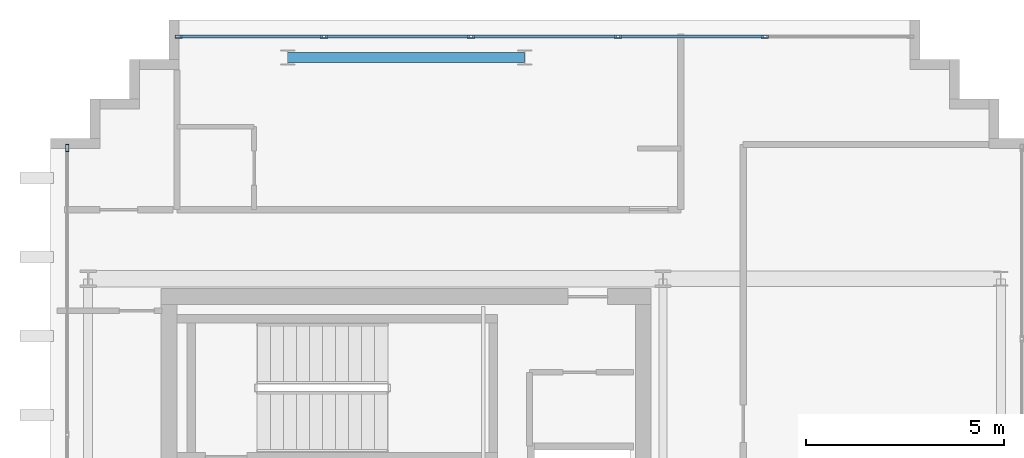
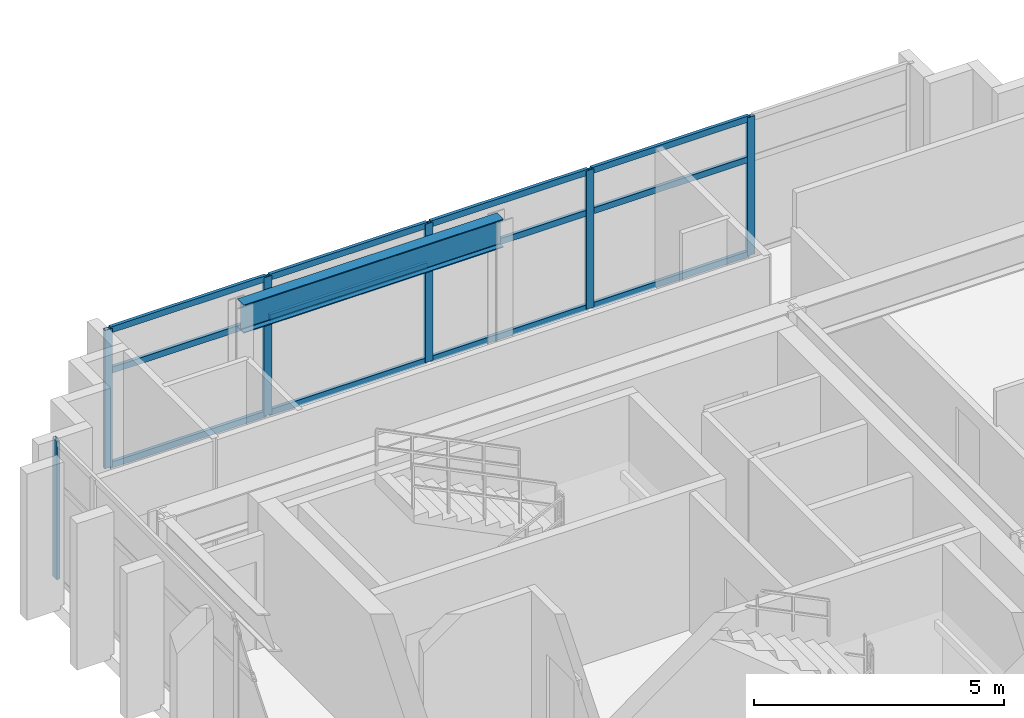
# One storey, part 11 of 17: 18 members, 1 beam, 2 elements without a shape of their own.
"""IFC4 building model written with IfcOpenShell, lengths in metres."""

from ifc_helpers import new_model, si_unit, direction, frame, origin, origin_2d, place, context, subcontext, project, spatial, hollow_rectangle, i_section, extrude, source, transform, mapped, material, layer, layer_set, material_profile, profile_set, type_object, element, aggregate, save


model = new_model("IFC4")

# Units and contexts
model_context = context("Model", 3, precision=1e-05, world=origin(), true_north=direction((0.0, 1.0)))
body_context = subcontext(model_context, "Body", "Model", "MODEL_VIEW")
ifc_project = project(units=[si_unit("LENGTHUNIT", "METRE"), si_unit("AREAUNIT", "SQUARE_METRE"), si_unit("VOLUMEUNIT", "CUBIC_METRE"), si_unit("PLANEANGLEUNIT", "RADIAN"), si_unit("MASSUNIT", "GRAM", prefix="KILO")], contexts=[model_context])

# Site, building, storey
site_placement = place(None, origin())
site = spatial("IfcSite", under=ifc_project, at=site_placement, CompositionType="ELEMENT")
building_placement = place(site_placement, origin())
building = spatial("IfcBuilding", under=site, at=building_placement, Name="Ocotamira Hotel", CompositionType="ELEMENT")
storey_placement = place(building_placement, frame((0.0, 0.0, 272.39990234375)))
storey = spatial("IfcBuildingStorey", under=building, at=storey_placement, Name="L69", CompositionType="ELEMENT", Elevation=272.39990234375)

# Beam
ifc_material_1 = material(Name="Steel ASTM A992 Grade 50", Category="steel")
ifc_material_profile_1 = material_profile(ifc_material_1, i_section(OverallWidth=0.256103515625, OverallDepth=0.693115234375, WebThickness=0.014404296875, FlangeThickness=0.023681640625, FilletRadius=0.01611328125, at=origin_2d()), Name="W27X114")
ifc_profile_set_1 = profile_set([ifc_material_profile_1], Name="Steel ASTM A992 Grade 50")
beam_type = type_object("IfcBeamType", Name="BM-PRIM-W27X114", PredefinedType="BEAM", material=ifc_profile_set_1)
shared_shape_1 = source(origin(), body_context, "Body", "SweptSolid", [
    extrude(i_section(OverallWidth=0.256103515625, OverallDepth=0.693115234375, WebThickness=0.014404296875, FlangeThickness=0.023681640625, FilletRadius=0.01611328125, at=origin_2d()), origin(), (0.0, 0.0, 1.0), 6.0),
])
beam_placement = place(storey_placement, frame((14.0, 43.050048828125, 3.03369140625), z_axis=(1.0, 0.0, 0.0), x_axis=(0.0, 1.0, 0.0)))
element("IfcBeam", 1, at=beam_placement, inside=storey, type_object=beam_type, Name="L69 Girder Y43.05 X14-20", PredefinedType="BEAM", context=body_context, shape_type="MappedRepresentation", body=[
    mapped(shared_shape_1, transform((0.0, 0.0, 0.0), scale=1.0)),
])

# Curtain wall, members
ifc_material_2 = material(Name="Anodised pale-metal aluminium and solar glass", Category="aluminium")
ifc_layer = layer(ifc_material_2, 0.2099609375)
ifc_layer_set = layer_set([ifc_layer], Name="Anodised pale-metal aluminium and solar glass")
curtain_wall_type = type_object("IfcCurtainWallType", Name="CW-SYS7-PEAK", PredefinedType="NOTDEFINED", material=ifc_layer_set)
curtain_wall_1_placement = place(storey_placement, origin())
curtain_wall_1 = element("IfcCurtainWall", 2, at=curtain_wall_1_placement, inside=storey, type_object=curtain_wall_type, Name="L69 Curtain Wall CW-7 CW-L69-N", PredefinedType="NOTDEFINED")
ifc_material_3 = material(Name="Anodised pale-metal aluminium 6063-T6", Category="aluminium")
ifc_material_profile_2 = material_profile(ifc_material_3, hollow_rectangle(XDim=0.080078125, YDim=0.179931640625, WallThickness=0.006103515625, at=origin_2d()), Name="HSS180X80X6")
ifc_profile_set_2 = profile_set([ifc_material_profile_2], Name="Anodised pale-metal aluminium 6063-T6")
member_type_1 = type_object("IfcMemberType", Name="CWM-180X75", PredefinedType="MULLION", material=ifc_profile_set_2)
shared_shape_2 = source(origin(), body_context, "Body", "SweptSolid", [
    extrude(hollow_rectangle(XDim=0.080078125, YDim=0.179931640625, WallThickness=0.006103515625, at=origin_2d()), origin(), (0.0, 0.0, 1.0), 3.380126953125),
])
member_1_placement = place(storey_placement, frame((11.239990234375, 43.580078125, 0.0), z_axis=(0.0, 0.0, 1.0), x_axis=(0.0, 1.0, 0.0)))
member_1 = element("IfcMember", 3, at=member_1_placement, type_object=member_type_1, Name="CW-7 mullion 1", PredefinedType="MULLION", context=body_context, shape_type="MappedRepresentation", body=[
    mapped(shared_shape_2, transform((0.0, 0.0, 0.0), scale=1.0)),
])
member_2_placement = place(storey_placement, frame((14.919921875, 43.580078125, 0.0), z_axis=(0.0, 0.0, 1.0), x_axis=(0.0, 1.0, 0.0)))
member_2 = element("IfcMember", 4, at=member_2_placement, type_object=member_type_1, Name="CW-7 mullion 2", PredefinedType="MULLION", context=body_context, shape_type="MappedRepresentation", body=[
    mapped(shared_shape_2, transform((0.0, 0.0, 0.0), scale=1.0)),
])
member_3_placement = place(storey_placement, frame((18.639892578125, 43.580078125, 0.0), z_axis=(0.0, 0.0, 1.0), x_axis=(0.0, 1.0, 0.0)))
member_3 = element("IfcMember", 5, at=member_3_placement, type_object=member_type_1, Name="CW-7 mullion 3", PredefinedType="MULLION", context=body_context, shape_type="MappedRepresentation", body=[
    mapped(shared_shape_2, transform((0.0, 0.0, 0.0), scale=1.0)),
])
member_4_placement = place(storey_placement, frame((22.360107421875, 43.580078125, 0.0), z_axis=(0.0, 0.0, 1.0), x_axis=(0.0, 1.0, 0.0)))
member_4 = element("IfcMember", 6, at=member_4_placement, type_object=member_type_1, Name="CW-7 mullion 4", PredefinedType="MULLION", context=body_context, shape_type="MappedRepresentation", body=[
    mapped(shared_shape_2, transform((0.0, 0.0, 0.0), scale=1.0)),
])
member_5_placement = place(storey_placement, frame((26.080078125, 43.580078125, 0.0), z_axis=(0.0, 0.0, 1.0), x_axis=(0.0, 1.0, 0.0)))
member_5 = element("IfcMember", 7, at=member_5_placement, type_object=member_type_1, Name="CW-7 mullion 5", PredefinedType="MULLION", context=body_context, shape_type="MappedRepresentation", body=[
    mapped(shared_shape_2, transform((0.0, 0.0, 0.0), scale=1.0)),
])

# Curtain wall, member
curtain_wall_2_placement = place(storey_placement, origin())
curtain_wall_2 = element("IfcCurtainWall", 8, at=curtain_wall_2_placement, inside=storey, type_object=curtain_wall_type, Name="L69 Curtain Wall CW-7 CW-L69-W2", PredefinedType="NOTDEFINED")
member_6_placement = place(storey_placement, frame((8.419921875, 40.760009765625, 0.0), z_axis=(0.0, 0.0, 1.0), x_axis=(-1.0, 0.0, 0.0)))
member_6 = element("IfcMember", 9, at=member_6_placement, type_object=member_type_1, Name="CW-7 mullion 3", PredefinedType="MULLION", context=body_context, shape_type="MappedRepresentation", body=[
    mapped(shared_shape_2, transform((0.0, 0.0, 0.0), scale=1.0)),
])
aggregate(curtain_wall_2, [member_6])

# Member
ifc_material_profile_3 = material_profile(ifc_material_3, hollow_rectangle(XDim=0.074951171875, YDim=0.14990234375, WallThickness=0.006103515625, at=origin_2d()), Name="HSS150X75X6")
ifc_profile_set_3 = profile_set([ifc_material_profile_3], Name="Anodised pale-metal aluminium 6063-T6")
member_type_2 = type_object("IfcMemberType", Name="CWT-150X75", PredefinedType="USERDEFINED", material=ifc_profile_set_3)
shared_shape_3 = source(origin(), body_context, "Body", "SweptSolid", [
    extrude(hollow_rectangle(XDim=0.074951171875, YDim=0.14990234375, WallThickness=0.006103515625, at=origin_2d()), origin(), (0.0, 0.0, 1.0), 3.599853515625),
])
member_7_placement = place(storey_placement, frame((11.280029296875, 43.580078125, 0.03759765625), z_axis=(1.0, 0.0, 0.0), x_axis=(0.0, 1.0, 0.0)))
member_7 = element("IfcMember", 10, at=member_7_placement, type_object=member_type_2, Name="CW-7 transom 1.1", ObjectType="TRANSOM", PredefinedType="USERDEFINED", context=body_context, shape_type="MappedRepresentation", body=[
    mapped(shared_shape_3, transform((0.0, 0.0, 0.0), scale=1.0)),
])

member_8_placement = place(storey_placement, frame((11.280029296875, 43.580078125, 2.35009765625), z_axis=(1.0, 0.0, 0.0), x_axis=(0.0, 1.0, 0.0)))
member_8 = element("IfcMember", 11, at=member_8_placement, type_object=member_type_2, Name="CW-7 transom 1.2", ObjectType="TRANSOM", PredefinedType="USERDEFINED", context=body_context, shape_type="MappedRepresentation", body=[
    mapped(shared_shape_3, transform((0.0, 0.0, 0.0), scale=1.0)),
])

member_9_placement = place(storey_placement, frame((11.280029296875, 43.580078125, 3.342529296875), z_axis=(1.0, 0.0, 0.0), x_axis=(0.0, 1.0, 0.0)))
member_9 = element("IfcMember", 12, at=member_9_placement, type_object=member_type_2, Name="CW-7 transom 1.3", ObjectType="TRANSOM", PredefinedType="USERDEFINED", context=body_context, shape_type="MappedRepresentation", body=[
    mapped(shared_shape_3, transform((0.0, 0.0, 0.0), scale=1.0)),
])

shared_shape_4 = source(origin(), body_context, "Body", "SweptSolid", [
    extrude(hollow_rectangle(XDim=0.074951171875, YDim=0.14990234375, WallThickness=0.006103515625, at=origin_2d()), origin(), (0.0, 0.0, 1.0), 3.64013671875),
])
member_10_placement = place(storey_placement, frame((14.9599609375, 43.580078125, 0.03759765625), z_axis=(1.0, 0.0, 0.0), x_axis=(0.0, 1.0, 0.0)))
member_10 = element("IfcMember", 13, at=member_10_placement, type_object=member_type_2, Name="CW-7 transom 2.1", ObjectType="TRANSOM", PredefinedType="USERDEFINED", context=body_context, shape_type="MappedRepresentation", body=[
    mapped(shared_shape_4, transform((0.0, 0.0, 0.0), scale=1.0)),
])

member_11_placement = place(storey_placement, frame((14.9599609375, 43.580078125, 2.35009765625), z_axis=(1.0, 0.0, 0.0), x_axis=(0.0, 1.0, 0.0)))
member_11 = element("IfcMember", 14, at=member_11_placement, type_object=member_type_2, Name="CW-7 transom 2.2", ObjectType="TRANSOM", PredefinedType="USERDEFINED", context=body_context, shape_type="MappedRepresentation", body=[
    mapped(shared_shape_4, transform((0.0, 0.0, 0.0), scale=1.0)),
])

member_12_placement = place(storey_placement, frame((14.9599609375, 43.580078125, 3.342529296875), z_axis=(1.0, 0.0, 0.0), x_axis=(0.0, 1.0, 0.0)))
member_12 = element("IfcMember", 15, at=member_12_placement, type_object=member_type_2, Name="CW-7 transom 2.3", ObjectType="TRANSOM", PredefinedType="USERDEFINED", context=body_context, shape_type="MappedRepresentation", body=[
    mapped(shared_shape_4, transform((0.0, 0.0, 0.0), scale=1.0)),
])

member_13_placement = place(storey_placement, frame((18.679931640625, 43.580078125, 0.03759765625), z_axis=(1.0, 0.0, 0.0), x_axis=(0.0, 1.0, 0.0)))
member_13 = element("IfcMember", 16, at=member_13_placement, type_object=member_type_2, Name="CW-7 transom 3.1", ObjectType="TRANSOM", PredefinedType="USERDEFINED", context=body_context, shape_type="MappedRepresentation", body=[
    mapped(shared_shape_4, transform((0.0, 0.0, 0.0), scale=1.0)),
])

member_14_placement = place(storey_placement, frame((18.679931640625, 43.580078125, 2.35009765625), z_axis=(1.0, 0.0, 0.0), x_axis=(0.0, 1.0, 0.0)))
member_14 = element("IfcMember", 17, at=member_14_placement, type_object=member_type_2, Name="CW-7 transom 3.2", ObjectType="TRANSOM", PredefinedType="USERDEFINED", context=body_context, shape_type="MappedRepresentation", body=[
    mapped(shared_shape_4, transform((0.0, 0.0, 0.0), scale=1.0)),
])

member_15_placement = place(storey_placement, frame((18.679931640625, 43.580078125, 3.342529296875), z_axis=(1.0, 0.0, 0.0), x_axis=(0.0, 1.0, 0.0)))
member_15 = element("IfcMember", 18, at=member_15_placement, type_object=member_type_2, Name="CW-7 transom 3.3", ObjectType="TRANSOM", PredefinedType="USERDEFINED", context=body_context, shape_type="MappedRepresentation", body=[
    mapped(shared_shape_4, transform((0.0, 0.0, 0.0), scale=1.0)),
])

member_16_placement = place(storey_placement, frame((22.39990234375, 43.580078125, 0.03759765625), z_axis=(1.0, 0.0, 0.0), x_axis=(0.0, 1.0, 0.0)))
member_16 = element("IfcMember", 19, at=member_16_placement, type_object=member_type_2, Name="CW-7 transom 4.1", ObjectType="TRANSOM", PredefinedType="USERDEFINED", context=body_context, shape_type="MappedRepresentation", body=[
    mapped(shared_shape_4, transform((0.0, 0.0, 0.0), scale=1.0)),
])

member_17_placement = place(storey_placement, frame((22.39990234375, 43.580078125, 2.35009765625), z_axis=(1.0, 0.0, 0.0), x_axis=(0.0, 1.0, 0.0)))
member_17 = element("IfcMember", 20, at=member_17_placement, type_object=member_type_2, Name="CW-7 transom 4.2", ObjectType="TRANSOM", PredefinedType="USERDEFINED", context=body_context, shape_type="MappedRepresentation", body=[
    mapped(shared_shape_4, transform((0.0, 0.0, 0.0), scale=1.0)),
])

member_18_placement = place(storey_placement, frame((22.39990234375, 43.580078125, 3.342529296875), z_axis=(1.0, 0.0, 0.0), x_axis=(0.0, 1.0, 0.0)))
member_18 = element("IfcMember", 21, at=member_18_placement, type_object=member_type_2, Name="CW-7 transom 4.3", ObjectType="TRANSOM", PredefinedType="USERDEFINED", context=body_context, shape_type="MappedRepresentation", body=[
    mapped(shared_shape_4, transform((0.0, 0.0, 0.0), scale=1.0)),
])

aggregate(curtain_wall_1, [member_1, member_2, member_3, member_4, member_5, member_7, member_8, member_9, member_10, member_11, member_12, member_13, member_14, member_15, member_16, member_17, member_18])

save(model, "model.ifc")
